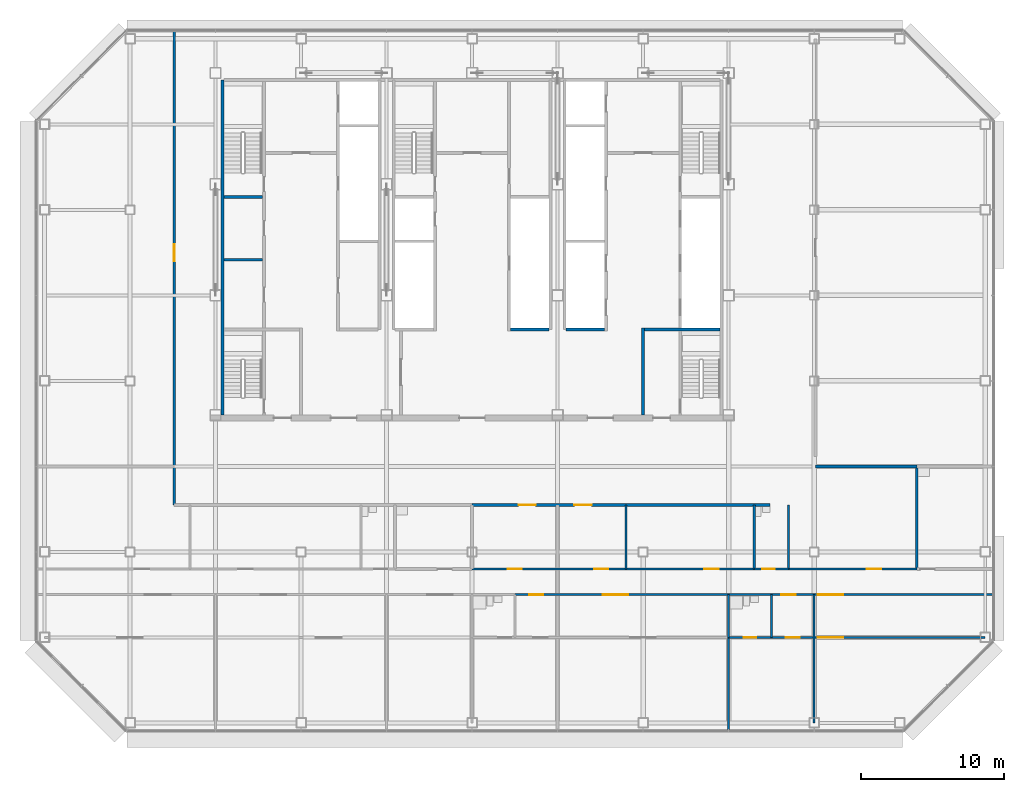
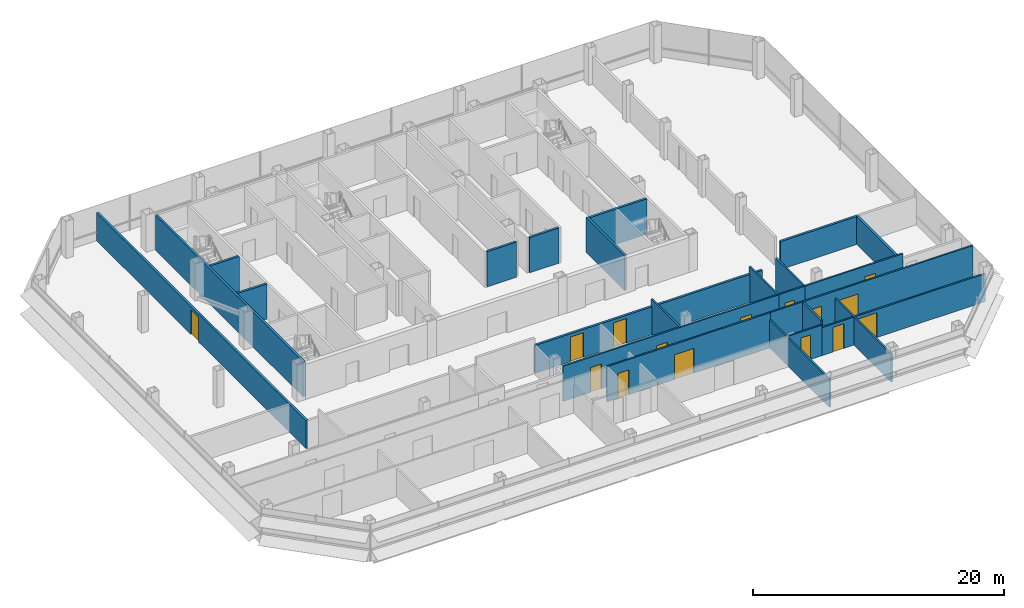
# One storey, part 20 of 24: 26 walls, 15 doors, 15 openings.
"""IFC4 building model written with IfcOpenShell, lengths in metres."""

from ifc_helpers import new_model, si_unit, direction, frame, frame_2d, origin, place, context, subcontext, project, spatial, rectangle, extrude, material, layer, layer_set, type_object, element, fill, save


model = new_model("IFC4")

# Units and contexts
model_context = context("Model", 3, precision=1e-05, world=origin(), true_north=direction((0.0, 1.0)))
body_context = subcontext(model_context, "Body", "Model", "MODEL_VIEW")
ifc_project = project(units=[si_unit("LENGTHUNIT", "METRE"), si_unit("AREAUNIT", "SQUARE_METRE"), si_unit("VOLUMEUNIT", "CUBIC_METRE"), si_unit("PLANEANGLEUNIT", "RADIAN"), si_unit("MASSUNIT", "GRAM", prefix="KILO")], contexts=[model_context])

# Site, building, storey
site_placement = place(None, origin())
site = spatial("IfcSite", under=ifc_project, at=site_placement, CompositionType="ELEMENT")
building_placement = place(site_placement, origin())
building = spatial("IfcBuilding", under=site, at=building_placement, Name="Sorahane Residences", CompositionType="ELEMENT")
storey_placement = place(building_placement, frame((0.0, 0.0, 170.800048828125)))
storey = spatial("IfcBuildingStorey", under=building, at=storey_placement, Name="L39", CompositionType="ELEMENT", Elevation=170.800048828125)

# Wall
ifc_material_1 = material(Name="Concrete C30", Category="concrete")
ifc_layer_1 = layer(ifc_material_1, 0.199951171875)
ifc_layer_set_1 = layer_set([ifc_layer_1], Name="Core face wall 200 EI 180")
wall_type_1 = type_object("IfcWallType", Name="Core face wall 200 EI 180", PredefinedType="SOLIDWALL", material=ifc_layer_set_1)
wall_1_placement = place(storey_placement, frame((6.5, 21.60009765625, 0.0), z_axis=(0.0, 0.0, 1.0), x_axis=(0.0, 1.0, 0.0)))
element("IfcWall", 1, at=wall_1_placement, inside=storey, type_object=wall_type_1, Name="L39 core face wall", PredefinedType="SOLIDWALL", context=body_context, shape_type="SweptSolid", body=[
    extrude(rectangle(XDim=23.5, YDim=0.199951171875, at=frame_2d((11.75, 0.0))), origin(), (0.0, 0.0, 1.0), 3.419921875),
])

# Wall, opening, door
ifc_material_2 = material(Name="Concrete blockwork C20 wall", Category="masonry")
ifc_layer_2 = layer(ifc_material_2, 0.199951171875)
ifc_layer_set_2 = layer_set([ifc_layer_2], Name="Corridor wall 200 EI 120")
wall_type_2 = type_object("IfcWallType", Name="Corridor wall 200 EI 120", PredefinedType="SOLIDWALL", material=ifc_layer_set_2)
wall_2_placement = place(storey_placement, frame((3.10009765625, 15.300048828125, 0.0), z_axis=(0.0, 0.0, 1.0), x_axis=(0.0, 1.0, 0.0)))
wall_2 = element("IfcWall", 2, at=wall_2_placement, inside=storey, type_object=wall_type_2, Name="L39 corridor wall", PredefinedType="SOLIDWALL", context=body_context, shape_type="SweptSolid", body=[
    extrude(rectangle(XDim=33.300048828125, YDim=0.199951171875, at=frame_2d((16.64990234375, 0.0))), origin(), (0.0, 0.0, 1.0), 2.719970703125),
])
opening_1_placement = place(wall_2_placement, frame((17.10009765625, 0.0, 0.0)))
opening_1 = element("IfcOpeningElement", 3, at=opening_1_placement, cuts=wall_2, Name="Opening L39-28", PredefinedType="OPENING", context=body_context, shape_type="SweptSolid", body=[
    extrude(rectangle(XDim=1.199951171875, YDim=2.39990234375, at=frame_2d((0.60009765625, 1.199951171875))), frame((0.0, 0.10986328125, 0.0), z_axis=(0.0, -1.0, 0.0), x_axis=(1.0, 0.0, 0.0)), (0.0, 0.0, 1.0), 0.219970703125),
])
ifc_material_3 = material(Name="Steel", Category="steel")
door_type_1 = type_object("IfcDoorType", Name="Lobby door 1200x2400 FD60", OperationType="NOTDEFINED", PredefinedType="DOOR", material=ifc_material_3)
door_1_placement = place(opening_1_placement, origin())
door_1 = element("IfcDoor", 4, at=door_1_placement, inside=storey, type_object=door_type_1, Name="Lobby door L39-28", OperationType="SINGLE_SWING_LEFT", OverallHeight=2.39990234375, OverallWidth=1.199951171875, PredefinedType="DOOR", context=body_context, shape_type="SweptSolid", body=[
    extrude(rectangle(XDim=1.199951171875, YDim=2.39990234375, at=frame_2d((0.60009765625, 1.199951171875))), frame((0.0, 0.02490234375, 0.0), z_axis=(0.0, -1.0, 0.0), x_axis=(1.0, 0.0, 0.0)), (0.0, 0.0, 1.0), 0.050048828125),
])
fill(opening_1, door_1)

# Wall, openings, doors
wall_3_placement = place(storey_placement, frame((24.0, 15.300048828125, 0.0), z_axis=(0.0, 0.0, 1.0), x_axis=(1.0, 0.0, 0.0)))
wall_3 = element("IfcWall", 5, at=wall_3_placement, inside=storey, type_object=wall_type_2, Name="L39 corridor wall", PredefinedType="SOLIDWALL", context=body_context, shape_type="SweptSolid", body=[
    extrude(rectangle(XDim=20.89990234375, YDim=0.199951171875, at=frame_2d((10.449951171875, 0.0))), origin(), (0.0, 0.0, 1.0), 2.719970703125),
])
opening_2_placement = place(wall_3_placement, frame((3.260009765625, 0.0, 0.0)))
opening_2 = element("IfcOpeningElement", 6, at=opening_2_placement, cuts=wall_3, Name="Opening L39-26", PredefinedType="OPENING", context=body_context, shape_type="SweptSolid", body=[
    extrude(rectangle(XDim=1.199951171875, YDim=2.39990234375, at=frame_2d((0.60009765625, 1.199951171875))), frame((0.0, 0.10986328125, 0.0), z_axis=(0.0, -1.0, 0.0), x_axis=(1.0, 0.0, 0.0)), (0.0, 0.0, 1.0), 0.219970703125),
])
opening_3_placement = place(wall_3_placement, frame((7.179931640625, 0.0, 0.0)))
opening_3 = element("IfcOpeningElement", 7, at=opening_3_placement, cuts=wall_3, Name="Opening L39-27", PredefinedType="OPENING", context=body_context, shape_type="SweptSolid", body=[
    extrude(rectangle(XDim=1.199951171875, YDim=2.39990234375, at=frame_2d((0.60009765625, 1.199951171875))), frame((0.0, 0.10986328125, 0.0), z_axis=(0.0, -1.0, 0.0), x_axis=(1.0, 0.0, 0.0)), (0.0, 0.0, 1.0), 0.219970703125),
])
ifc_material_4 = material(Name="Timber veneered fire door", Category="wood")
door_type_2 = type_object("IfcDoorType", Name="Flat entrance door 1200x2400 FD60", OperationType="NOTDEFINED", PredefinedType="DOOR", material=ifc_material_4)
door_2_placement = place(opening_2_placement, frame((1.199951171875, 0.0, 0.0), z_axis=(0.0, 0.0, 1.0), x_axis=(-1.0, 0.0, 0.0)))
door_2 = element("IfcDoor", 8, at=door_2_placement, inside=storey, type_object=door_type_2, Name="Flat entrance door L39-26", OperationType="SINGLE_SWING_RIGHT", OverallHeight=2.39990234375, OverallWidth=1.199951171875, PredefinedType="DOOR", context=body_context, shape_type="SweptSolid", body=[
    extrude(rectangle(XDim=1.199951171875, YDim=2.39990234375, at=frame_2d((0.60009765625, 1.199951171875))), frame((0.0, 0.02490234375, 0.0), z_axis=(0.0, -1.0, 0.0), x_axis=(1.0, 0.0, 0.0)), (0.0, 0.0, 1.0), 0.050048828125),
])
fill(opening_2, door_2)
door_3_placement = place(opening_3_placement, frame((1.199951171875, 0.0, 0.0), z_axis=(0.0, 0.0, 1.0), x_axis=(-1.0, 0.0, 0.0)))
door_3 = element("IfcDoor", 9, at=door_3_placement, inside=storey, type_object=door_type_2, Name="Flat entrance door L39-27", OperationType="SINGLE_SWING_LEFT", OverallHeight=2.39990234375, OverallWidth=1.199951171875, PredefinedType="DOOR", context=body_context, shape_type="SweptSolid", body=[
    extrude(rectangle(XDim=1.199951171875, YDim=2.39990234375, at=frame_2d((0.60009765625, 1.199951171875))), frame((0.0, 0.02490234375, 0.0), z_axis=(0.0, -1.0, 0.0), x_axis=(1.0, 0.0, 0.0)), (0.0, 0.0, 1.0), 0.050048828125),
])
fill(opening_3, door_3)

# Walls
wall_4_placement = place(storey_placement, frame((48.10009765625, 18.0, 0.0), z_axis=(0.0, 0.0, 1.0), x_axis=(1.0, 0.0, 0.0)))
element("IfcWall", 10, at=wall_4_placement, inside=storey, type_object=wall_type_2, Name="L39 corridor wall", PredefinedType="SOLIDWALL", context=body_context, shape_type="SweptSolid", body=[
    extrude(rectangle(XDim=7.099853515625, YDim=0.199951171875, at=frame_2d((3.5498046875, 0.0))), origin(), (0.0, 0.0, 1.0), 2.719970703125),
])
ifc_material_5 = material(Name="Concrete C30", Category="concrete")
ifc_layer_3 = layer(ifc_material_5, 0.199951171875)
ifc_layer_set_3 = layer_set([ifc_layer_3], Name="Front room wall 200 EI 120")
wall_type_3 = type_object("IfcWallType", Name="Front room wall 200 EI 120", PredefinedType="PARTITIONING", material=ifc_layer_set_3)
wall_5_placement = place(storey_placement, frame((36.0, 21.60009765625, 0.0), z_axis=(0.0, 0.0, 1.0), x_axis=(0.0, 1.0, 0.0)))
element("IfcWall", 11, at=wall_5_placement, inside=storey, type_object=wall_type_3, Name="L39 front room wall", PredefinedType="PARTITIONING", context=body_context, shape_type="SweptSolid", body=[
    extrude(rectangle(XDim=6.099853515625, YDim=0.199951171875, at=frame_2d((3.0498046875, 0.0))), origin(), (0.0, 0.0, 1.0), 3.419921875),
])
ifc_material_6 = material(Name="Concrete blockwork C20 wall", Category="masonry")
ifc_layer_4 = layer(ifc_material_6, 0.199951171875)
ifc_layer_set_4 = layer_set([ifc_layer_4], Name="Kitchen wall 200 EI 180")
wall_type_4 = type_object("IfcWallType", Name="Kitchen wall 200 EI 180", PredefinedType="SOLIDWALL", material=ifc_layer_set_4)
wall_6_placement = place(storey_placement, frame((55.199951171875, 10.800048828125, 0.0), z_axis=(0.0, 0.0, 1.0), x_axis=(0.0, 1.0, 0.0)))
element("IfcWall", 12, at=wall_6_placement, inside=storey, type_object=wall_type_4, Name="L39 kitchen wall", PredefinedType="SOLIDWALL", context=body_context, shape_type="SweptSolid", body=[
    extrude(rectangle(XDim=7.199951171875, YDim=0.199951171875, at=frame_2d((3.60009765625, 0.0))), origin(), (0.0, 0.0, 1.0), 2.719970703125),
])
ifc_material_7 = material(Name="Concrete C30", Category="concrete")
ifc_layer_5 = layer(ifc_material_7, 0.199951171875)
ifc_layer_set_5 = layer_set([ifc_layer_5], Name="Lift shaft wall 200 EI 120")
wall_type_5 = type_object("IfcWallType", Name="Lift shaft wall 200 EI 120", PredefinedType="SOLIDWALL", material=ifc_layer_set_5)
wall_7_placement = place(storey_placement, frame((30.60009765625, 27.60009765625, 0.0), z_axis=(0.0, 0.0, 1.0), x_axis=(1.0, 0.0, 0.0)))
element("IfcWall", 13, at=wall_7_placement, inside=storey, type_object=wall_type_5, Name="L39 lift shaft wall", PredefinedType="SOLIDWALL", context=body_context, shape_type="SweptSolid", body=[
    extrude(rectangle(XDim=2.699951171875, YDim=0.199951171875, at=frame_2d((1.35009765625, 0.0))), origin(), (0.0, 0.0, 1.0), 3.419921875),
])
ifc_material_8 = material(Name="Gypsum board partition on steel studs", Category="steel")
ifc_layer_6 = layer(ifc_material_8, 0.14990234375)
ifc_layer_set_6 = layer_set([ifc_layer_6], Name="Partition 150 EI 90")
wall_type_6 = type_object("IfcWallType", Name="Partition 150 EI 90", PredefinedType="PARTITIONING", material=ifc_layer_set_6)
wall_8_placement = place(storey_placement, frame((34.800048828125, 10.800048828125, 0.0), z_axis=(0.0, 0.0, 1.0), x_axis=(0.0, 1.0, 0.0)))
element("IfcWall", 14, at=wall_8_placement, inside=storey, type_object=wall_type_6, Name="L39 partition", PredefinedType="PARTITIONING", context=body_context, shape_type="SweptSolid", body=[
    extrude(rectangle(XDim=4.5, YDim=0.14990234375, at=frame_2d((2.25, 0.0))), origin(), (0.0, 0.0, 1.0), 3.419921875),
])
wall_9_placement = place(storey_placement, frame((42.0, -0.60009765625, 0.0), z_axis=(0.0, 0.0, 1.0), x_axis=(0.0, 1.0, 0.0)))
element("IfcWall", 15, at=wall_9_placement, inside=storey, type_object=wall_type_6, Name="L39 partition", PredefinedType="PARTITIONING", context=body_context, shape_type="SweptSolid", body=[
    extrude(rectangle(XDim=6.60009765625, YDim=0.14990234375, at=frame_2d((3.300048828125, 0.0))), origin(), (0.0, 0.0, 1.0), 2.719970703125),
])
wall_10_placement = place(storey_placement, frame((48.0, 0.0, 0.0), z_axis=(0.0, 0.0, 1.0), x_axis=(0.0, 1.0, 0.0)))
element("IfcWall", 16, at=wall_10_placement, inside=storey, type_object=wall_type_6, Name="L39 partition", PredefinedType="PARTITIONING", context=body_context, shape_type="SweptSolid", body=[
    extrude(rectangle(XDim=9.0, YDim=0.14990234375, at=frame_2d((4.5, 0.0))), origin(), (0.0, 0.0, 1.0), 2.719970703125),
])

# Wall, openings, doors
wall_11_placement = place(storey_placement, frame((24.0, 10.800048828125, 0.0), z_axis=(0.0, 0.0, 1.0), x_axis=(1.0, 0.0, 0.0)))
wall_11 = element("IfcWall", 17, at=wall_11_placement, inside=storey, type_object=wall_type_6, Name="L39 partition", PredefinedType="PARTITIONING", context=body_context, shape_type="SweptSolid", body=[
    extrude(rectangle(XDim=19.800048828125, YDim=0.14990234375, at=frame_2d((9.89990234375, 0.0))), origin(), (0.0, 0.0, 1.0), 3.419921875),
])
opening_4_placement = place(wall_11_placement, frame((2.5, 0.0, 0.0)))
opening_4 = element("IfcOpeningElement", 18, at=opening_4_placement, cuts=wall_11, Name="Opening L39-01", PredefinedType="OPENING", context=body_context, shape_type="SweptSolid", body=[
    extrude(rectangle(XDim=1.0, YDim=2.39990234375, at=frame_2d((0.5, 1.199951171875))), frame((0.0, 0.0849609375, 0.0), z_axis=(0.0, -1.0, 0.0), x_axis=(1.0, 0.0, 0.0)), (0.0, 0.0, 1.0), 0.169921875),
])
opening_5_placement = place(wall_11_placement, frame((8.56005859375, 0.0, 0.0)))
opening_5 = element("IfcOpeningElement", 19, at=opening_5_placement, cuts=wall_11, Name="Opening L39-14", PredefinedType="OPENING", context=body_context, shape_type="SweptSolid", body=[
    extrude(rectangle(XDim=1.0, YDim=2.39990234375, at=frame_2d((0.5, 1.199951171875))), frame((0.0, 0.0849609375, 0.0), z_axis=(0.0, -1.0, 0.0), x_axis=(1.0, 0.0, 0.0)), (0.0, 0.0, 1.0), 0.169921875),
])
opening_6_placement = place(wall_11_placement, frame((16.300048828125, 0.0, 0.0)))
opening_6 = element("IfcOpeningElement", 20, at=opening_6_placement, cuts=wall_11, Name="Opening L39-15", PredefinedType="OPENING", context=body_context, shape_type="SweptSolid", body=[
    extrude(rectangle(XDim=1.0, YDim=2.39990234375, at=frame_2d((0.5, 1.199951171875))), frame((0.0, 0.0849609375, 0.0), z_axis=(0.0, -1.0, 0.0), x_axis=(1.0, 0.0, 0.0)), (0.0, 0.0, 1.0), 0.169921875),
])
ifc_material_9 = material(Name="Timber veneered fire door", Category="wood")
door_type_3 = type_object("IfcDoorType", Name="Room door 1000x2400 FD30", OperationType="NOTDEFINED", PredefinedType="DOOR", material=ifc_material_9)
door_4_placement = place(opening_4_placement, frame((1.0, 0.0, 0.0), z_axis=(0.0, 0.0, 1.0), x_axis=(-1.0, 0.0, 0.0)))
door_4 = element("IfcDoor", 21, at=door_4_placement, inside=storey, type_object=door_type_3, Name="Room door L39-01", OperationType="SINGLE_SWING_RIGHT", OverallHeight=2.39990234375, OverallWidth=1.0, PredefinedType="DOOR", context=body_context, shape_type="SweptSolid", body=[
    extrude(rectangle(XDim=1.0, YDim=2.39990234375, at=frame_2d((0.5, 1.199951171875))), frame((0.0, 0.02490234375, 0.0), z_axis=(0.0, -1.0, 0.0), x_axis=(1.0, 0.0, 0.0)), (0.0, 0.0, 1.0), 0.050048828125),
])
fill(opening_4, door_4)
door_5_placement = place(opening_5_placement, frame((1.0, 0.0, 0.0), z_axis=(0.0, 0.0, 1.0), x_axis=(-1.0, 0.0, 0.0)))
door_5 = element("IfcDoor", 22, at=door_5_placement, inside=storey, type_object=door_type_3, Name="Room door L39-14", OperationType="SINGLE_SWING_RIGHT", OverallHeight=2.39990234375, OverallWidth=1.0, PredefinedType="DOOR", context=body_context, shape_type="SweptSolid", body=[
    extrude(rectangle(XDim=1.0, YDim=2.39990234375, at=frame_2d((0.5, 1.199951171875))), frame((0.0, 0.02490234375, 0.0), z_axis=(0.0, -1.0, 0.0), x_axis=(1.0, 0.0, 0.0)), (0.0, 0.0, 1.0), 0.050048828125),
])
fill(opening_5, door_5)
door_6_placement = place(opening_6_placement, origin())
door_6 = element("IfcDoor", 23, at=door_6_placement, inside=storey, type_object=door_type_3, Name="Room door L39-15", OperationType="SINGLE_SWING_RIGHT", OverallHeight=2.39990234375, OverallWidth=1.0, PredefinedType="DOOR", context=body_context, shape_type="SweptSolid", body=[
    extrude(rectangle(XDim=1.0, YDim=2.39990234375, at=frame_2d((0.5, 1.199951171875))), frame((0.0, 0.02490234375, 0.0), z_axis=(0.0, -1.0, 0.0), x_axis=(1.0, 0.0, 0.0)), (0.0, 0.0, 1.0), 0.050048828125),
])
fill(opening_6, door_6)

# Wall, opening, door
wall_12_placement = place(storey_placement, frame((46.199951171875, 10.800048828125, 0.0), z_axis=(0.0, 0.0, 1.0), x_axis=(1.0, 0.0, 0.0)))
wall_12 = element("IfcWall", 24, at=wall_12_placement, inside=storey, type_object=wall_type_6, Name="L39 partition", PredefinedType="PARTITIONING", context=body_context, shape_type="SweptSolid", body=[
    extrude(rectangle(XDim=9.0, YDim=0.14990234375, at=frame_2d((4.5, 0.0))), origin(), (0.0, 0.0, 1.0), 3.419921875),
])
opening_7_placement = place(wall_12_placement, frame((5.5, 0.0, 0.0)))
opening_7 = element("IfcOpeningElement", 25, at=opening_7_placement, cuts=wall_12, Name="Opening L39-17", PredefinedType="OPENING", context=body_context, shape_type="SweptSolid", body=[
    extrude(rectangle(XDim=1.0, YDim=2.39990234375, at=frame_2d((0.5, 1.199951171875))), frame((0.0, 0.0849609375, 0.0), z_axis=(0.0, -1.0, 0.0), x_axis=(1.0, 0.0, 0.0)), (0.0, 0.0, 1.0), 0.169921875),
])
door_7_placement = place(opening_7_placement, origin())
door_7 = element("IfcDoor", 26, at=door_7_placement, inside=storey, type_object=door_type_3, Name="Room door L39-17", OperationType="SINGLE_SWING_RIGHT", OverallHeight=2.39990234375, OverallWidth=1.0, PredefinedType="DOOR", context=body_context, shape_type="SweptSolid", body=[
    extrude(rectangle(XDim=1.0, YDim=2.39990234375, at=frame_2d((0.5, 1.199951171875))), frame((0.0, 0.02490234375, 0.0), z_axis=(0.0, -1.0, 0.0), x_axis=(1.0, 0.0, 0.0)), (0.0, 0.0, 1.0), 0.050048828125),
])
fill(opening_7, door_7)

# Wall, openings, doors
wall_13_placement = place(storey_placement, frame((45.0, 6.0, 0.0), z_axis=(0.0, 0.0, 1.0), x_axis=(1.0, 0.0, 0.0)))
wall_13 = element("IfcWall", 27, at=wall_13_placement, inside=storey, type_object=wall_type_6, Name="L39 partition", PredefinedType="PARTITIONING", context=body_context, shape_type="SweptSolid", body=[
    extrude(rectangle(XDim=15.0, YDim=0.14990234375, at=frame_2d((7.5, 0.0))), origin(), (0.0, 0.0, 1.0), 2.719970703125),
])
opening_8_placement = place(wall_13_placement, frame((1.0, 0.0, 0.0)))
opening_8 = element("IfcOpeningElement", 28, at=opening_8_placement, cuts=wall_13, Name="Opening L39-23", PredefinedType="OPENING", context=body_context, shape_type="SweptSolid", body=[
    extrude(rectangle(XDim=1.0, YDim=2.39990234375, at=frame_2d((0.5, 1.199951171875))), frame((0.0, 0.0849609375, 0.0), z_axis=(0.0, -1.0, 0.0), x_axis=(1.0, 0.0, 0.0)), (0.0, 0.0, 1.0), 0.169921875),
])
opening_9_placement = place(wall_13_placement, frame((3.25, 0.0, 0.0)))
opening_9 = element("IfcOpeningElement", 29, at=opening_9_placement, cuts=wall_13, Name="Opening L39-25", PredefinedType="OPENING", context=body_context, shape_type="SweptSolid", body=[
    extrude(rectangle(XDim=1.800048828125, YDim=2.39990234375, at=frame_2d((0.89990234375, 1.199951171875))), frame((0.0, 0.0849609375, 0.0), z_axis=(0.0, -1.0, 0.0), x_axis=(1.0, 0.0, 0.0)), (0.0, 0.0, 1.0), 0.169921875),
])
ifc_material_10 = material(Name="Timber veneered fire door", Category="wood")
door_type_4 = type_object("IfcDoorType", Name="Double door 1800x2400 FD30", OperationType="NOTDEFINED", PredefinedType="DOOR", material=ifc_material_10)
door_8_placement = place(opening_9_placement, frame((1.800048828125, 0.0, 0.0), z_axis=(0.0, 0.0, 1.0), x_axis=(-1.0, 0.0, 0.0)))
door_8 = element("IfcDoor", 30, at=door_8_placement, inside=storey, type_object=door_type_4, Name="Double door L39-25", OperationType="SINGLE_SWING_RIGHT", OverallHeight=2.39990234375, OverallWidth=1.800048828125, PredefinedType="DOOR", context=body_context, shape_type="SweptSolid", body=[
    extrude(rectangle(XDim=1.800048828125, YDim=2.39990234375, at=frame_2d((0.89990234375, 1.199951171875))), frame((0.0, 0.02490234375, 0.0), z_axis=(0.0, -1.0, 0.0), x_axis=(1.0, 0.0, 0.0)), (0.0, 0.0, 1.0), 0.050048828125),
])
fill(opening_9, door_8)
door_9_placement = place(opening_8_placement, frame((1.0, 0.0, 0.0), z_axis=(0.0, 0.0, 1.0), x_axis=(-1.0, 0.0, 0.0)))
door_9 = element("IfcDoor", 31, at=door_9_placement, inside=storey, type_object=door_type_3, Name="Room door L39-23", OperationType="SINGLE_SWING_LEFT", OverallHeight=2.39990234375, OverallWidth=1.0, PredefinedType="DOOR", context=body_context, shape_type="SweptSolid", body=[
    extrude(rectangle(XDim=1.0, YDim=2.39990234375, at=frame_2d((0.5, 1.199951171875))), frame((0.0, 0.02490234375, 0.0), z_axis=(0.0, -1.0, 0.0), x_axis=(1.0, 0.0, 0.0)), (0.0, 0.0, 1.0), 0.050048828125),
])
fill(opening_8, door_9)

wall_14_placement = place(storey_placement, frame((27.0, 9.0, 0.0), z_axis=(0.0, 0.0, 1.0), x_axis=(1.0, 0.0, 0.0)))
wall_14 = element("IfcWall", 32, at=wall_14_placement, inside=storey, type_object=wall_type_6, Name="L39 partition", PredefinedType="PARTITIONING", context=body_context, shape_type="SweptSolid", body=[
    extrude(rectangle(XDim=15.0, YDim=0.14990234375, at=frame_2d((7.5, 0.0))), origin(), (0.0, 0.0, 1.0), 3.419921875),
])
opening_10_placement = place(wall_14_placement, frame((1.0, 0.0, 0.0)))
opening_10 = element("IfcOpeningElement", 33, at=opening_10_placement, cuts=wall_14, Name="Opening L39-09", PredefinedType="OPENING", context=body_context, shape_type="SweptSolid", body=[
    extrude(rectangle(XDim=1.0, YDim=2.39990234375, at=frame_2d((0.5, 1.199951171875))), frame((0.0, 0.0849609375, 0.0), z_axis=(0.0, -1.0, 0.0), x_axis=(1.0, 0.0, 0.0)), (0.0, 0.0, 1.0), 0.169921875),
])
opening_11_placement = place(wall_14_placement, frame((6.159912109375, 0.0, 0.0)))
opening_11 = element("IfcOpeningElement", 34, at=opening_11_placement, cuts=wall_14, Name="Opening L39-19", PredefinedType="OPENING", context=body_context, shape_type="SweptSolid", body=[
    extrude(rectangle(XDim=1.800048828125, YDim=2.39990234375, at=frame_2d((0.89990234375, 1.199951171875))), frame((0.0, 0.0849609375, 0.0), z_axis=(0.0, -1.0, 0.0), x_axis=(1.0, 0.0, 0.0)), (0.0, 0.0, 1.0), 0.169921875),
])
door_10_placement = place(opening_11_placement, frame((1.800048828125, 0.0, 0.0), z_axis=(0.0, 0.0, 1.0), x_axis=(-1.0, 0.0, 0.0)))
door_10 = element("IfcDoor", 35, at=door_10_placement, inside=storey, type_object=door_type_4, Name="Double door L39-19", OperationType="SINGLE_SWING_RIGHT", OverallHeight=2.39990234375, OverallWidth=1.800048828125, PredefinedType="DOOR", context=body_context, shape_type="SweptSolid", body=[
    extrude(rectangle(XDim=1.800048828125, YDim=2.39990234375, at=frame_2d((0.89990234375, 1.199951171875))), frame((0.0, 0.02490234375, 0.0), z_axis=(0.0, -1.0, 0.0), x_axis=(1.0, 0.0, 0.0)), (0.0, 0.0, 1.0), 0.050048828125),
])
fill(opening_11, door_10)
door_11_placement = place(opening_10_placement, frame((1.0, 0.0, 0.0), z_axis=(0.0, 0.0, 1.0), x_axis=(-1.0, 0.0, 0.0)))
door_11 = element("IfcDoor", 36, at=door_11_placement, inside=storey, type_object=door_type_3, Name="Room door L39-09", OperationType="SINGLE_SWING_LEFT", OverallHeight=2.39990234375, OverallWidth=1.0, PredefinedType="DOOR", context=body_context, shape_type="SweptSolid", body=[
    extrude(rectangle(XDim=1.0, YDim=2.39990234375, at=frame_2d((0.5, 1.199951171875))), frame((0.0, 0.02490234375, 0.0), z_axis=(0.0, -1.0, 0.0), x_axis=(1.0, 0.0, 0.0)), (0.0, 0.0, 1.0), 0.050048828125),
])
fill(opening_10, door_11)

wall_15_placement = place(storey_placement, frame((45.0, 9.0, 0.0), z_axis=(0.0, 0.0, 1.0), x_axis=(1.0, 0.0, 0.0)))
wall_15 = element("IfcWall", 37, at=wall_15_placement, inside=storey, type_object=wall_type_6, Name="L39 partition", PredefinedType="PARTITIONING", context=body_context, shape_type="SweptSolid", body=[
    extrude(rectangle(XDim=15.60009765625, YDim=0.14990234375, at=frame_2d((7.800048828125, 0.0))), origin(), (0.0, 0.0, 1.0), 3.419921875),
])
opening_12_placement = place(wall_15_placement, frame((0.699951171875, 0.0, 0.0)))
opening_12 = element("IfcOpeningElement", 38, at=opening_12_placement, cuts=wall_15, Name="Opening L39-20", PredefinedType="OPENING", context=body_context, shape_type="SweptSolid", body=[
    extrude(rectangle(XDim=1.0, YDim=2.39990234375, at=frame_2d((0.5, 1.199951171875))), frame((0.0, 0.0849609375, 0.0), z_axis=(0.0, -1.0, 0.0), x_axis=(1.0, 0.0, 0.0)), (0.0, 0.0, 1.0), 0.169921875),
])
opening_13_placement = place(wall_15_placement, frame((3.25, 0.0, 0.0)))
opening_13 = element("IfcOpeningElement", 39, at=opening_13_placement, cuts=wall_15, Name="Opening L39-21", PredefinedType="OPENING", context=body_context, shape_type="SweptSolid", body=[
    extrude(rectangle(XDim=1.800048828125, YDim=2.39990234375, at=frame_2d((0.89990234375, 1.199951171875))), frame((0.0, 0.0849609375, 0.0), z_axis=(0.0, -1.0, 0.0), x_axis=(1.0, 0.0, 0.0)), (0.0, 0.0, 1.0), 0.169921875),
])
door_12_placement = place(opening_13_placement, frame((1.800048828125, 0.0, 0.0), z_axis=(0.0, 0.0, 1.0), x_axis=(-1.0, 0.0, 0.0)))
door_12 = element("IfcDoor", 40, at=door_12_placement, inside=storey, type_object=door_type_4, Name="Double door L39-21", OperationType="SINGLE_SWING_LEFT", OverallHeight=2.39990234375, OverallWidth=1.800048828125, PredefinedType="DOOR", context=body_context, shape_type="SweptSolid", body=[
    extrude(rectangle(XDim=1.800048828125, YDim=2.39990234375, at=frame_2d((0.89990234375, 1.199951171875))), frame((0.0, 0.02490234375, 0.0), z_axis=(0.0, -1.0, 0.0), x_axis=(1.0, 0.0, 0.0)), (0.0, 0.0, 1.0), 0.050048828125),
])
fill(opening_13, door_12)
door_13_placement = place(opening_12_placement, frame((1.0, 0.0, 0.0), z_axis=(0.0, 0.0, 1.0), x_axis=(-1.0, 0.0, 0.0)))
door_13 = element("IfcDoor", 41, at=door_13_placement, inside=storey, type_object=door_type_3, Name="Room door L39-20", OperationType="SINGLE_SWING_RIGHT", OverallHeight=2.39990234375, OverallWidth=1.0, PredefinedType="DOOR", context=body_context, shape_type="SweptSolid", body=[
    extrude(rectangle(XDim=1.0, YDim=2.39990234375, at=frame_2d((0.5, 1.199951171875))), frame((0.0, 0.02490234375, 0.0), z_axis=(0.0, -1.0, 0.0), x_axis=(1.0, 0.0, 0.0)), (0.0, 0.0, 1.0), 0.050048828125),
])
fill(opening_12, door_13)

# Walls
ifc_material_11 = material(Name="Concrete C30", Category="concrete")
ifc_layer_7 = layer(ifc_material_11, 0.199951171875)
ifc_layer_set_7 = layer_set([ifc_layer_7], Name="Riser shaft wall 200 EI 120")
wall_type_7 = type_object("IfcWallType", Name="Riser shaft wall 200 EI 120", PredefinedType="SOLIDWALL", material=ifc_layer_set_7)
wall_16_placement = place(storey_placement, frame((26.699951171875, 27.60009765625, 0.0), z_axis=(0.0, 0.0, 1.0), x_axis=(1.0, 0.0, 0.0)))
element("IfcWall", 42, at=wall_16_placement, inside=storey, type_object=wall_type_7, Name="L39 riser wall", PredefinedType="SOLIDWALL", context=body_context, shape_type="SweptSolid", body=[
    extrude(rectangle(XDim=2.699951171875, YDim=0.199951171875, at=frame_2d((1.35009765625, 0.0))), origin(), (0.0, 0.0, 1.0), 3.419921875),
])
ifc_material_12 = material(Name="Concrete C30", Category="concrete")
ifc_layer_8 = layer(ifc_material_12, 0.199951171875)
ifc_layer_set_8 = layer_set([ifc_layer_8], Name="Service room partition 200 EI 60")
wall_type_8 = type_object("IfcWallType", Name="Service room partition 200 EI 60", PredefinedType="PARTITIONING", material=ifc_layer_set_8)
wall_17_placement = place(storey_placement, frame((6.60009765625, 32.5, 0.0), z_axis=(0.0, 0.0, 1.0), x_axis=(1.0, 0.0, 0.0)))
element("IfcWall", 43, at=wall_17_placement, inside=storey, type_object=wall_type_8, Name="L39 service room wall", PredefinedType="PARTITIONING", context=body_context, shape_type="SweptSolid", body=[
    extrude(rectangle(XDim=2.699951171875, YDim=0.199951171875, at=frame_2d((1.35009765625, 0.0))), origin(), (0.0, 0.0, 1.0), 3.419921875),
])
ifc_material_13 = material(Name="Concrete C30", Category="concrete")
ifc_layer_9 = layer(ifc_material_13, 0.199951171875)
ifc_layer_set_9 = layer_set([ifc_layer_9], Name="Stair enclosure wall 200 EI 120")
wall_type_9 = type_object("IfcWallType", Name="Stair enclosure wall 200 EI 120", PredefinedType="SOLIDWALL", material=ifc_layer_set_9)
wall_18_placement = place(storey_placement, frame((36.10009765625, 27.60009765625, 0.0), z_axis=(0.0, 0.0, 1.0), x_axis=(1.0, 0.0, 0.0)))
element("IfcWall", 44, at=wall_18_placement, inside=storey, type_object=wall_type_9, Name="L39 stair enclosure wall", PredefinedType="SOLIDWALL", context=body_context, shape_type="SweptSolid", body=[
    extrude(rectangle(XDim=5.2998046875, YDim=0.199951171875, at=frame_2d((2.64990234375, 0.0))), origin(), (0.0, 0.0, 1.0), 3.419921875),
])
wall_19_placement = place(storey_placement, frame((6.60009765625, 36.89990234375, 0.0), z_axis=(0.0, 0.0, 1.0), x_axis=(1.0, 0.0, 0.0)))
element("IfcWall", 45, at=wall_19_placement, inside=storey, type_object=wall_type_9, Name="L39 stair enclosure wall", PredefinedType="SOLIDWALL", context=body_context, shape_type="SweptSolid", body=[
    extrude(rectangle(XDim=2.699951171875, YDim=0.199951171875, at=frame_2d((1.35009765625, 0.0))), origin(), (0.0, 0.0, 1.0), 3.419921875),
])
ifc_material_14 = material(Name="Gypsum board partition on steel studs", Category="steel")
ifc_layer_10 = layer(ifc_material_14, 0.14990234375)
ifc_layer_set_10 = layer_set([ifc_layer_10], Name="Wet wall 150 EI 90")
wall_type_10 = type_object("IfcWallType", Name="Wet wall 150 EI 90", PredefinedType="PARTITIONING", material=ifc_layer_set_10)
wall_20_placement = place(storey_placement, frame((42.0, 6.0, 0.0), z_axis=(0.0, 0.0, 1.0), x_axis=(0.0, 1.0, 0.0)))
element("IfcWall", 46, at=wall_20_placement, inside=storey, type_object=wall_type_10, Name="L39 wet wall", PredefinedType="PARTITIONING", context=body_context, shape_type="SweptSolid", body=[
    extrude(rectangle(XDim=3.0, YDim=0.14990234375, at=frame_2d((1.5, 0.0))), origin(), (0.0, 0.0, 1.0), 2.719970703125),
])
wall_21_placement = place(storey_placement, frame((43.800048828125, 10.800048828125, 0.0), z_axis=(0.0, 0.0, 1.0), x_axis=(0.0, 1.0, 0.0)))
element("IfcWall", 47, at=wall_21_placement, inside=storey, type_object=wall_type_10, Name="L39 wet wall", PredefinedType="PARTITIONING", context=body_context, shape_type="SweptSolid", body=[
    extrude(rectangle(XDim=4.5, YDim=0.14990234375, at=frame_2d((2.25, 0.0))), origin(), (0.0, 0.0, 1.0), 3.419921875),
])
wall_22_placement = place(storey_placement, frame((45.0, 6.0, 0.0), z_axis=(0.0, 0.0, 1.0), x_axis=(0.0, 1.0, 0.0)))
element("IfcWall", 48, at=wall_22_placement, inside=storey, type_object=wall_type_10, Name="L39 wet wall", PredefinedType="PARTITIONING", context=body_context, shape_type="SweptSolid", body=[
    extrude(rectangle(XDim=3.0, YDim=0.14990234375, at=frame_2d((1.5, 0.0))), origin(), (0.0, 0.0, 1.0), 3.419921875),
])
wall_23_placement = place(storey_placement, frame((46.199951171875, 10.800048828125, 0.0), z_axis=(0.0, 0.0, 1.0), x_axis=(0.0, 1.0, 0.0)))
element("IfcWall", 49, at=wall_23_placement, inside=storey, type_object=wall_type_10, Name="L39 wet wall", PredefinedType="PARTITIONING", context=body_context, shape_type="SweptSolid", body=[
    extrude(rectangle(XDim=4.5, YDim=0.14990234375, at=frame_2d((2.25, 0.0))), origin(), (0.0, 0.0, 1.0), 3.419921875),
])

# Wall, opening, door
wall_24_placement = place(storey_placement, frame((43.800048828125, 10.800048828125, 0.0), z_axis=(0.0, 0.0, 1.0), x_axis=(1.0, 0.0, 0.0)))
wall_24 = element("IfcWall", 50, at=wall_24_placement, inside=storey, type_object=wall_type_10, Name="L39 wet wall", PredefinedType="PARTITIONING", context=body_context, shape_type="SweptSolid", body=[
    extrude(rectangle(XDim=2.39990234375, YDim=0.14990234375, at=frame_2d((1.199951171875, 0.0))), origin(), (0.0, 0.0, 1.0), 3.419921875),
])
opening_14_placement = place(wall_24_placement, frame((0.550048828125, 0.0, 0.0)))
opening_14 = element("IfcOpeningElement", 51, at=opening_14_placement, cuts=wall_24, Name="Opening L39-16", PredefinedType="OPENING", context=body_context, shape_type="SweptSolid", body=[
    extrude(rectangle(XDim=0.89990234375, YDim=2.39990234375, at=frame_2d((0.449951171875, 1.199951171875))), frame((0.0, 0.0849609375, 0.0), z_axis=(0.0, -1.0, 0.0), x_axis=(1.0, 0.0, 0.0)), (0.0, 0.0, 1.0), 0.169921875),
])
ifc_material_15 = material(Name="Timber veneered fire door", Category="wood")
door_type_5 = type_object("IfcDoorType", Name="Bathroom door 900x2400 FD30", OperationType="NOTDEFINED", PredefinedType="DOOR", material=ifc_material_15)
door_14_placement = place(opening_14_placement, frame((0.89990234375, 0.0, 0.0), z_axis=(0.0, 0.0, 1.0), x_axis=(-1.0, 0.0, 0.0)))
door_14 = element("IfcDoor", 52, at=door_14_placement, inside=storey, type_object=door_type_5, Name="Bathroom door L39-16", OperationType="SINGLE_SWING_LEFT", OverallHeight=2.39990234375, OverallWidth=0.89990234375, PredefinedType="DOOR", context=body_context, shape_type="SweptSolid", body=[
    extrude(rectangle(XDim=0.89990234375, YDim=2.39990234375, at=frame_2d((0.449951171875, 1.199951171875))), frame((0.0, 0.02490234375, 0.0), z_axis=(0.0, -1.0, 0.0), x_axis=(1.0, 0.0, 0.0)), (0.0, 0.0, 1.0), 0.050048828125),
])
fill(opening_14, door_14)

wall_25_placement = place(storey_placement, frame((42.0, 6.0, 0.0), z_axis=(0.0, 0.0, 1.0), x_axis=(1.0, 0.0, 0.0)))
wall_25 = element("IfcWall", 53, at=wall_25_placement, inside=storey, type_object=wall_type_10, Name="L39 wet wall", PredefinedType="PARTITIONING", context=body_context, shape_type="SweptSolid", body=[
    extrude(rectangle(XDim=3.0, YDim=0.14990234375, at=frame_2d((1.5, 0.0))), origin(), (0.0, 0.0, 1.0), 2.969970703125),
])
opening_15_placement = place(wall_25_placement, frame((1.050048828125, 0.0, 0.0)))
opening_15 = element("IfcOpeningElement", 54, at=opening_15_placement, cuts=wall_25, Name="Opening L39-24", PredefinedType="OPENING", context=body_context, shape_type="SweptSolid", body=[
    extrude(rectangle(XDim=0.89990234375, YDim=2.39990234375, at=frame_2d((0.449951171875, 1.199951171875))), frame((0.0, 0.0849609375, 0.0), z_axis=(0.0, -1.0, 0.0), x_axis=(1.0, 0.0, 0.0)), (0.0, 0.0, 1.0), 0.169921875),
])
door_15_placement = place(opening_15_placement, frame((0.89990234375, 0.0, 0.0), z_axis=(0.0, 0.0, 1.0), x_axis=(-1.0, 0.0, 0.0)))
door_15 = element("IfcDoor", 55, at=door_15_placement, inside=storey, type_object=door_type_5, Name="Bathroom door L39-24", OperationType="SINGLE_SWING_LEFT", OverallHeight=2.39990234375, OverallWidth=0.89990234375, PredefinedType="DOOR", context=body_context, shape_type="SweptSolid", body=[
    extrude(rectangle(XDim=0.89990234375, YDim=2.39990234375, at=frame_2d((0.449951171875, 1.199951171875))), frame((0.0, 0.02490234375, 0.0), z_axis=(0.0, -1.0, 0.0), x_axis=(1.0, 0.0, 0.0)), (0.0, 0.0, 1.0), 0.050048828125),
])
fill(opening_15, door_15)

# Wall
wall_26_placement = place(storey_placement, frame((42.0, 9.0, 0.0), z_axis=(0.0, 0.0, 1.0), x_axis=(1.0, 0.0, 0.0)))
element("IfcWall", 56, at=wall_26_placement, inside=storey, type_object=wall_type_10, Name="L39 wet wall", PredefinedType="PARTITIONING", context=body_context, shape_type="SweptSolid", body=[
    extrude(rectangle(XDim=3.0, YDim=0.14990234375, at=frame_2d((1.5, 0.0))), origin(), (0.0, 0.0, 1.0), 3.419921875),
])

save(model, "model.ifc")
